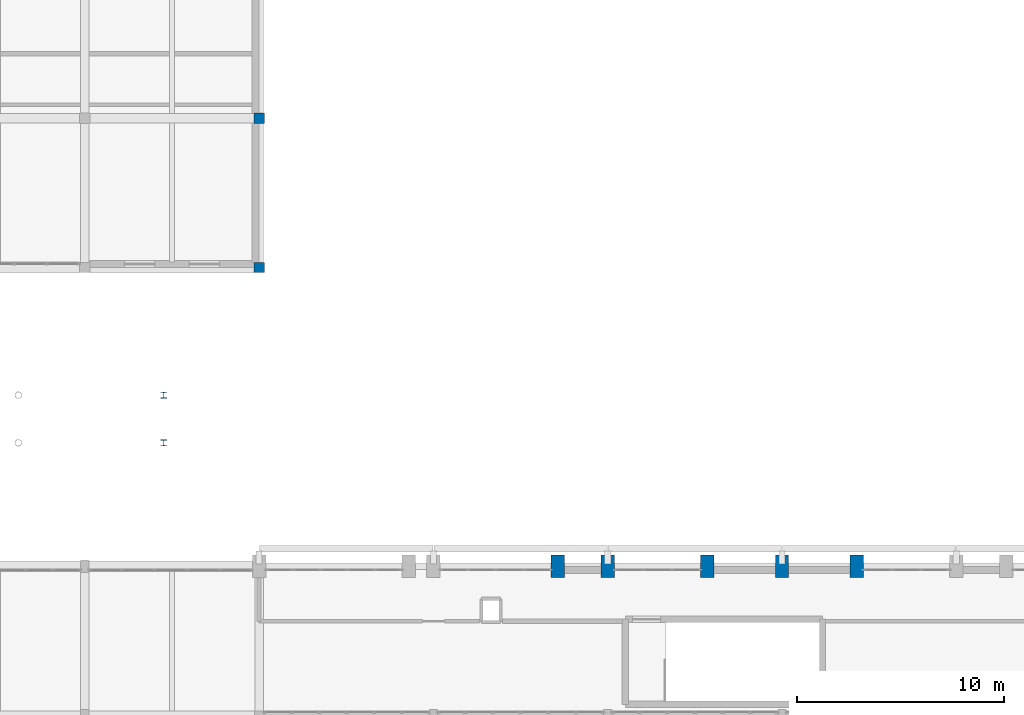
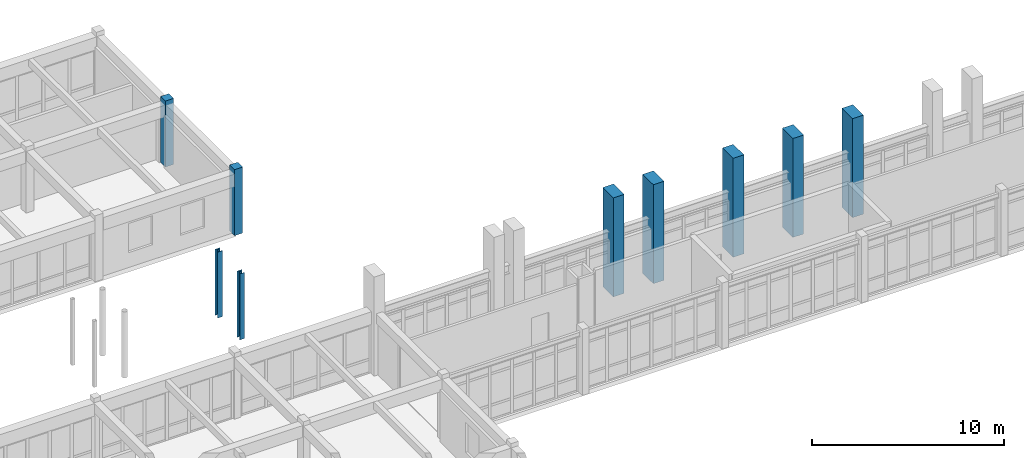
# One storey, part 29 of 147: 9 columns.
"""IFC4 building model written with IfcOpenShell, lengths in metres."""

from ifc_helpers import new_model, si_unit, direction, frame, origin, origin_2d, place, context, subcontext, project, spatial, rectangle, i_section, extrude, material, material_profile, profile_set, type_object, element, save


model = new_model("IFC4")

# Units and contexts
model_context = context("Model", 3, precision=1e-05, world=origin(), true_north=direction((0.0, 1.0)))
body_context = subcontext(model_context, "Body", "Model", "MODEL_VIEW")
ifc_project = project(units=[si_unit("LENGTHUNIT", "METRE"), si_unit("AREAUNIT", "SQUARE_METRE"), si_unit("VOLUMEUNIT", "CUBIC_METRE"), si_unit("PLANEANGLEUNIT", "RADIAN"), si_unit("MASSUNIT", "GRAM", prefix="KILO")], contexts=[model_context])

# Site, building, storey
site_placement = place(None, origin())
site = spatial("IfcSite", under=ifc_project, at=site_placement, CompositionType="ELEMENT")
building_placement = place(site_placement, origin())
building = spatial("IfcBuilding", under=site, at=building_placement, Name="Malvenik Polytechnic", CompositionType="ELEMENT")
storey_placement = place(building_placement, frame((0.0, 0.0, 5.10009765625)))
storey = spatial("IfcBuildingStorey", under=building, at=storey_placement, Name="L01", CompositionType="ELEMENT", Elevation=5.10009765625)

# Columns
ifc_material_1 = material(Name="Concrete C35/45", Category="concrete")
ifc_material_profile_1 = material_profile(ifc_material_1, rectangle(XDim=0.5, YDim=0.5, at=origin_2d()), Name="RC COL 500x500")
ifc_profile_set_1 = profile_set([ifc_material_profile_1], Name="Concrete C35/45")
column_type_1 = type_object("IfcColumnType", Name="STR-COL-C-08", PredefinedType="COLUMN", material=ifc_profile_set_1)
for number, where, z_axis, x_axis, name in (
    (1, (134.39990234375, 50.39990234375, 0.0), (0.0, 0.0, 1.0), (1.0, 0.0, 0.0), "Column C-08 L01 (134.4,50.4)"),
    (2, (134.39990234375, 57.60009765625, 0.0), (0.0, 0.0, 1.0), (1.0, 0.0, 0.0), "Column C-08 L01 (134.4,57.6)"),
):
    element("IfcColumn", number, at=place(storey_placement, frame(where, z_axis=z_axis, x_axis=x_axis)), inside=storey, type_object=column_type_1, Name=name, PredefinedType="COLUMN", context=body_context, shape_type="SweptSolid", body=[
        extrude(rectangle(XDim=0.5, YDim=0.5, at=origin_2d()), origin(), (0.0, 0.0, 1.0), 4.199951171875),
    ])
ifc_material_profile_2 = material_profile(ifc_material_1, rectangle(XDim=0.64990234375, YDim=1.10009765625, at=origin_2d()), Name="RC COL 1100x650")
ifc_profile_set_2 = profile_set([ifc_material_profile_2], Name="Concrete C35/45")
column_type_2 = type_object("IfcColumnType", Name="STR-COL-C-12", PredefinedType="COLUMN", material=ifc_profile_set_2)
for number, where, z_axis, x_axis, name in (
    (3, (148.800048828125, 36.0, 0.0), (0.0, 0.0, 1.0), (1.0, 0.0, 0.0), "Column C-12 L01 (148.8,36.0)"),
    (4, (151.199951171875, 36.0, 0.0), (0.0, 0.0, 1.0), (1.0, 0.0, 0.0), "Column C-12 L01 (151.2,36.0)"),
    (5, (156.0, 36.0, 0.0), (0.0, 0.0, 1.0), (1.0, 0.0, 0.0), "Column C-12 L01 (156.0,36.0)"),
    (6, (159.60009765625, 36.0, 0.0), (0.0, 0.0, 1.0), (1.0, 0.0, 0.0), "Column C-12 L01 (159.6,36.0)"),
    (7, (163.199951171875, 36.0, 0.0), (0.0, 0.0, 1.0), (1.0, 0.0, 0.0), "Column C-12 L01 (163.2,36.0)"),
):
    element("IfcColumn", number, at=place(storey_placement, frame(where, z_axis=z_axis, x_axis=x_axis)), inside=storey, type_object=column_type_2, Name=name, PredefinedType="COLUMN", context=body_context, shape_type="SweptSolid", body=[
        extrude(rectangle(XDim=0.64990234375, YDim=1.10009765625, at=origin_2d()), origin(), (0.0, 0.0, 1.0), 6.2998046875),
    ])
ifc_material_2 = material(Name="Steel S355", Category="steel")
ifc_material_profile_3 = material_profile(ifc_material_2, i_section(OverallWidth=0.300048828125, OverallDepth=0.300048828125, WebThickness=0.010986328125, FlangeThickness=0.01904296875, FilletRadius=0.027099609375, at=origin_2d()), Name="HEB 300")
ifc_profile_set_3 = profile_set([ifc_material_profile_3], Name="Steel S355")
column_type_3 = type_object("IfcColumnType", Name="STR-SCOL-SC-05", PredefinedType="COLUMN", material=ifc_profile_set_3)
for number, where, z_axis, x_axis, name in (
    (8, (129.800048828125, 41.949951171875, 0.0), (0.0, 0.0, 1.0), (1.0, 0.0, 0.0), "Bridge-Ramp Support Column SC-05 L01"),
    (9, (129.800048828125, 44.25, 0.0), (0.0, 0.0, 1.0), (1.0, 0.0, 0.0), "Bridge-Ramp Support Column SC-05 L01"),
):
    element("IfcColumn", number, at=place(storey_placement, frame(where, z_axis=z_axis, x_axis=x_axis)), inside=storey, type_object=column_type_3, Name=name, PredefinedType="COLUMN", context=body_context, shape_type="SweptSolid", body=[
        extrude(i_section(OverallWidth=0.300048828125, OverallDepth=0.300048828125, WebThickness=0.010986328125, FlangeThickness=0.01904296875, FilletRadius=0.027099609375, at=origin_2d()), origin(), (0.0, 0.0, 1.0), 4.199951171875),
    ])

save(model, "model.ifc")
